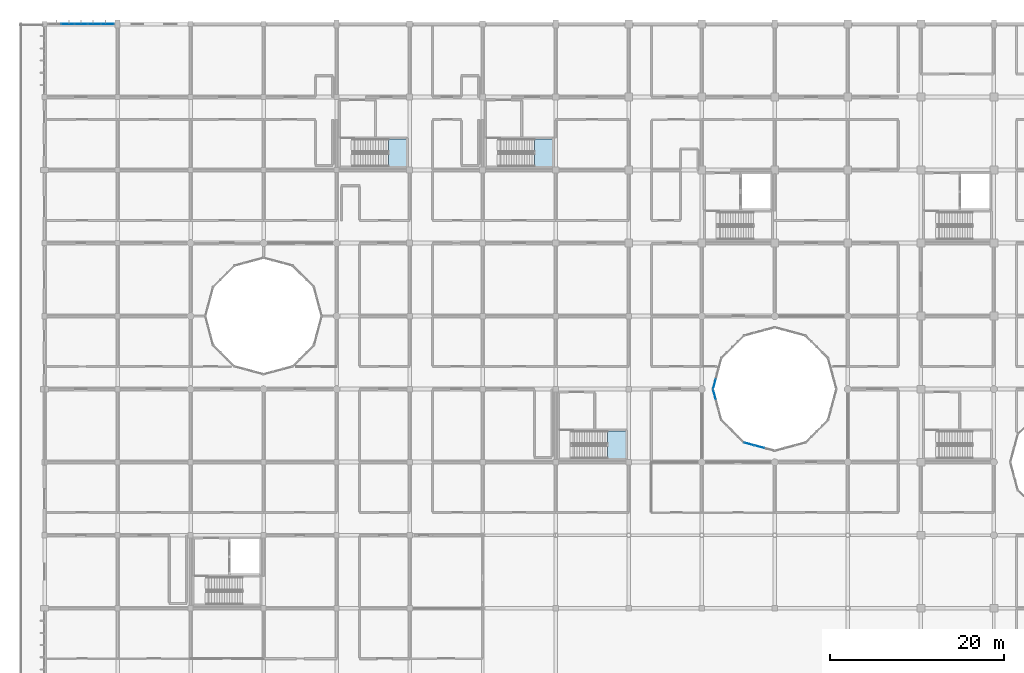
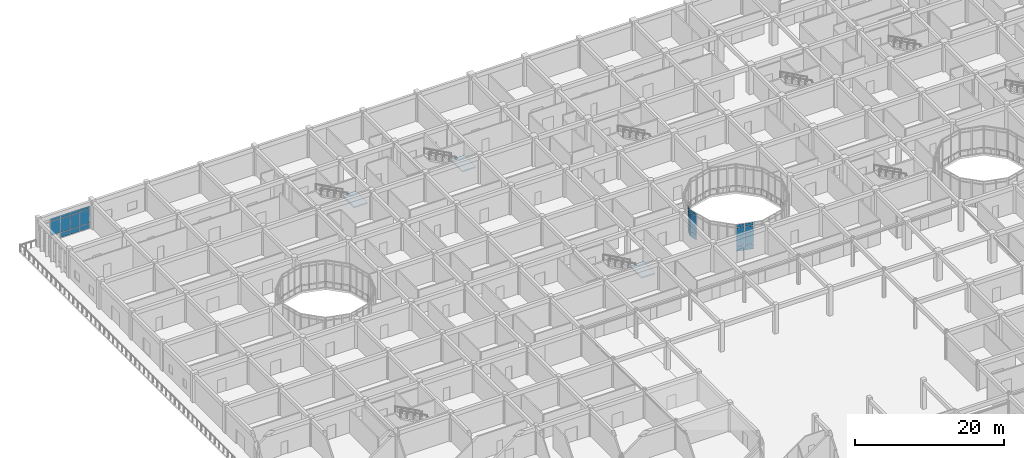
# One storey, part 72 of 138: 23 plates, 3 slabs, 7 elements without a shape of their own.
"""IFC4 building model written with IfcOpenShell, lengths in metres."""

from ifc_helpers import new_model, si_unit, direction, frame, origin, origin_2d, place, context, subcontext, project, spatial, polyline, rectangle, outline, extrude, material, layer, layer_set, type_object, element, aggregate, save


model = new_model("IFC4")

# Units and contexts
model_context = context("Model", 3, precision=1e-05, world=origin(), true_north=direction((0.0, 1.0)))
body_context = subcontext(model_context, "Body", "Model", "MODEL_VIEW")
ifc_project = project(units=[si_unit("LENGTHUNIT", "METRE"), si_unit("AREAUNIT", "SQUARE_METRE"), si_unit("VOLUMEUNIT", "CUBIC_METRE"), si_unit("PLANEANGLEUNIT", "RADIAN"), si_unit("MASSUNIT", "GRAM", prefix="KILO")], contexts=[model_context])

# Site, building, storey
site_placement = place(None, origin())
site = spatial("IfcSite", under=ifc_project, at=site_placement, CompositionType="ELEMENT")
building_placement = place(site_placement, origin())
building = spatial("IfcBuilding", under=site, at=building_placement, Name="Bramfleet General Hospital", CompositionType="ELEMENT")
storey_placement = place(building_placement, origin())
storey = spatial("IfcBuildingStorey", under=building, at=storey_placement, Name="L00", CompositionType="ELEMENT", Elevation=0.0)

# Curtain wall, plates
ifc_material_1 = material(Name="Anodised aluminium and low-E triple glazing", Category="aluminium")
ifc_layer_1 = layer(ifc_material_1, 0.179931640625, Name="CWT-CW-17")
ifc_layer_set_1 = layer_set([ifc_layer_1], Name="Anodised aluminium and low-E triple glazing")
curtain_wall_type_1 = type_object("IfcCurtainWallType", Name="CWT-CW-17", PredefinedType="USERDEFINED", material=ifc_layer_set_1)
curtain_wall_1_placement = place(storey_placement, origin())
curtain_wall_1 = element("IfcCurtainWall", 1, at=curtain_wall_1_placement, inside=storey, type_object=curtain_wall_type_1, Name="L00 Central Diagnostic Light Court Curtain Wall 1.1", ObjectType="Stick curtain wall", PredefinedType="USERDEFINED")
ifc_material_2 = material(Name="Low-E laminated safety glass", Category="glass")
ifc_layer_2 = layer(ifc_material_2, 0.031982421875, Name="CWP-GLZ-2")
ifc_layer_set_2 = layer_set([ifc_layer_2], Name="Low-E laminated safety glass")
plate_type_1 = type_object("IfcPlateType", Name="CWP-GLZ-2", PredefinedType="CURTAIN_PANEL", material=ifc_layer_set_2)
plate_1_placement = place(storey_placement, frame((77.06298828125, 74.991455078125, 0.06494140625), z_axis=(0.0, 0.0, 1.0), x_axis=(0.258763286618, -0.965940765005, 0.0)))
plate_1 = element("IfcPlate", 2, at=plate_1_placement, type_object=plate_type_1, Name="CW-17 panel 1.1", PredefinedType="CURTAIN_PANEL", context=body_context, shape_type="SweptSolid", body=[
    extrude(rectangle(XDim=1.1201171875, YDim=0.031982421875, at=origin_2d()), origin(), (0.0, 0.0, 1.0), 0.802490234375),
])
plate_2_placement = place(storey_placement, frame((77.06298828125, 74.991455078125, 0.932373046875), z_axis=(0.0, 0.0, 1.0), x_axis=(0.258763286618, -0.965940765005, 0.0)))
plate_2 = element("IfcPlate", 3, at=plate_2_placement, type_object=plate_type_1, Name="CW-17 panel 1.2", PredefinedType="CURTAIN_PANEL", context=body_context, shape_type="SweptSolid", body=[
    extrude(rectangle(XDim=1.1201171875, YDim=0.031982421875, at=origin_2d()), origin(), (0.0, 0.0, 1.0), 2.97509765625),
])
plate_3_placement = place(storey_placement, frame((77.06298828125, 74.991455078125, 3.97265625), z_axis=(0.0, 0.0, 1.0), x_axis=(0.258763286618, -0.965940765005, 0.0)))
plate_3 = element("IfcPlate", 4, at=plate_3_placement, type_object=plate_type_1, Name="CW-17 panel 1.3", PredefinedType="CURTAIN_PANEL", context=body_context, shape_type="SweptSolid", body=[
    extrude(rectangle(XDim=1.1201171875, YDim=0.031982421875, at=origin_2d()), origin(), (0.0, 0.0, 1.0), 0.452392578125),
])
aggregate(curtain_wall_1, [plate_1, plate_2, plate_3])

ifc_layer_3 = layer(ifc_material_1, 0.179931640625, Name="CWT-CW-11")
ifc_layer_set_3 = layer_set([ifc_layer_3], Name="Anodised aluminium and low-E triple glazing")
curtain_wall_type_2 = type_object("IfcCurtainWallType", Name="CWT-CW-11", PredefinedType="USERDEFINED", material=ifc_layer_set_3)
curtain_wall_2_placement = place(storey_placement, origin())
curtain_wall_2 = element("IfcCurtainWall", 5, at=curtain_wall_2_placement, inside=storey, type_object=curtain_wall_type_2, Name="L00 Central Diagnostic Light Court Curtain Wall 3.1", ObjectType="Stick curtain wall", PredefinedType="USERDEFINED")
plate_4_placement = place(storey_placement, frame((81.05859375, 69.2880859375, 0.06494140625), z_axis=(0.0, 0.0, 1.0), x_axis=(0.965940765005, -0.258763286618, 0.0)))
plate_4 = element("IfcPlate", 6, at=plate_4_placement, type_object=plate_type_1, Name="CW-11 panel 1.1", PredefinedType="CURTAIN_PANEL", context=body_context, shape_type="SweptSolid", body=[
    extrude(rectangle(XDim=1.1201171875, YDim=0.031982421875, at=origin_2d()), origin(), (0.0, 0.0, 1.0), 0.802490234375),
])
plate_5_placement = place(storey_placement, frame((81.05859375, 69.2880859375, 0.932373046875), z_axis=(0.0, 0.0, 1.0), x_axis=(0.965940765005, -0.258763286618, 0.0)))
plate_5 = element("IfcPlate", 7, at=plate_5_placement, type_object=plate_type_1, Name="CW-11 panel 1.2", PredefinedType="CURTAIN_PANEL", context=body_context, shape_type="SweptSolid", body=[
    extrude(rectangle(XDim=1.1201171875, YDim=0.031982421875, at=origin_2d()), origin(), (0.0, 0.0, 1.0), 2.97509765625),
])
plate_6_placement = place(storey_placement, frame((81.05859375, 69.2880859375, 3.97265625), z_axis=(0.0, 0.0, 1.0), x_axis=(0.965940765005, -0.258763286618, 0.0)))
plate_6 = element("IfcPlate", 8, at=plate_6_placement, type_object=plate_type_1, Name="CW-11 panel 1.3", PredefinedType="CURTAIN_PANEL", context=body_context, shape_type="SweptSolid", body=[
    extrude(rectangle(XDim=1.1201171875, YDim=0.031982421875, at=origin_2d()), origin(), (0.0, 0.0, 1.0), 0.452392578125),
])
plate_7_placement = place(storey_placement, frame((82.22509765625, 68.9755859375, 0.06494140625), z_axis=(0.0, 0.0, 1.0), x_axis=(0.965940765005, -0.258763286618, 0.0)))
plate_7 = element("IfcPlate", 9, at=plate_7_placement, type_object=plate_type_1, Name="CW-11 panel 2.1", PredefinedType="CURTAIN_PANEL", context=body_context, shape_type="SweptSolid", body=[
    extrude(rectangle(XDim=1.155029296875, YDim=0.031982421875, at=origin_2d()), origin(), (0.0, 0.0, 1.0), 0.802490234375),
])
plate_8_placement = place(storey_placement, frame((82.22509765625, 68.9755859375, 0.932373046875), z_axis=(0.0, 0.0, 1.0), x_axis=(0.965940765005, -0.258763286618, 0.0)))
plate_8 = element("IfcPlate", 10, at=plate_8_placement, type_object=plate_type_1, Name="CW-11 panel 2.2", PredefinedType="CURTAIN_PANEL", context=body_context, shape_type="SweptSolid", body=[
    extrude(rectangle(XDim=1.155029296875, YDim=0.031982421875, at=origin_2d()), origin(), (0.0, 0.0, 1.0), 2.97509765625),
])
plate_9_placement = place(storey_placement, frame((82.22509765625, 68.9755859375, 3.97265625), z_axis=(0.0, 0.0, 1.0), x_axis=(0.965940765005, -0.258763286618, 0.0)))
plate_9 = element("IfcPlate", 11, at=plate_9_placement, type_object=plate_type_1, Name="CW-11 panel 2.3", PredefinedType="CURTAIN_PANEL", context=body_context, shape_type="SweptSolid", body=[
    extrude(rectangle(XDim=1.155029296875, YDim=0.031982421875, at=origin_2d()), origin(), (0.0, 0.0, 1.0), 0.452392578125),
])
aggregate(curtain_wall_2, [plate_4, plate_5, plate_6, plate_7, plate_8, plate_9])

ifc_layer_4 = layer(ifc_material_1, 0.179931640625, Name="CWT-CW-12")
ifc_layer_set_4 = layer_set([ifc_layer_4], Name="Anodised aluminium and low-E triple glazing")
curtain_wall_type_3 = type_object("IfcCurtainWallType", Name="CWT-CW-12", PredefinedType="USERDEFINED", material=ifc_layer_set_4)
curtain_wall_3_placement = place(storey_placement, origin())
curtain_wall_3 = element("IfcCurtainWall", 12, at=curtain_wall_3_placement, inside=storey, type_object=curtain_wall_type_3, Name="L00 Central Diagnostic Light Court Curtain Wall 12.1", ObjectType="Stick curtain wall", PredefinedType="USERDEFINED")
plate_10_placement = place(storey_placement, frame((77.06298828125, 76.20849609375, 0.06494140625), z_axis=(0.0, 0.0, 1.0), x_axis=(-0.258763286618, -0.965940765005, 0.0)))
plate_10 = element("IfcPlate", 13, at=plate_10_placement, type_object=plate_type_1, Name="CW-12 panel 3.1", PredefinedType="CURTAIN_PANEL", context=body_context, shape_type="SweptSolid", body=[
    extrude(rectangle(XDim=1.1201171875, YDim=0.031982421875, at=origin_2d()), origin(), (0.0, 0.0, 1.0), 0.802490234375),
])
plate_11_placement = place(storey_placement, frame((77.06298828125, 76.20849609375, 0.932373046875), z_axis=(0.0, 0.0, 1.0), x_axis=(-0.258763286618, -0.965940765005, 0.0)))
plate_11 = element("IfcPlate", 14, at=plate_11_placement, type_object=plate_type_1, Name="CW-12 panel 3.2", PredefinedType="CURTAIN_PANEL", context=body_context, shape_type="SweptSolid", body=[
    extrude(rectangle(XDim=1.1201171875, YDim=0.031982421875, at=origin_2d()), origin(), (0.0, 0.0, 1.0), 2.97509765625),
])
plate_12_placement = place(storey_placement, frame((77.06298828125, 76.20849609375, 3.97265625), z_axis=(0.0, 0.0, 1.0), x_axis=(-0.258763286618, -0.965940765005, 0.0)))
plate_12 = element("IfcPlate", 15, at=plate_12_placement, type_object=plate_type_1, Name="CW-12 panel 3.3", PredefinedType="CURTAIN_PANEL", context=body_context, shape_type="SweptSolid", body=[
    extrude(rectangle(XDim=1.1201171875, YDim=0.031982421875, at=origin_2d()), origin(), (0.0, 0.0, 1.0), 0.452392578125),
])
aggregate(curtain_wall_3, [plate_10, plate_11, plate_12])

ifc_layer_5 = layer(ifc_material_1, 0.179931640625, Name="CWT-CW-03")
ifc_layer_set_5 = layer_set([ifc_layer_5], Name="Anodised aluminium and low-E triple glazing")
curtain_wall_type_4 = type_object("IfcCurtainWallType", Name="CWT-CW-03", PredefinedType="USERDEFINED", material=ifc_layer_set_5)
curtain_wall_4_placement = place(storey_placement, origin())
curtain_wall_4 = element("IfcCurtainWall", 16, at=curtain_wall_4_placement, inside=storey, type_object=curtain_wall_type_4, Name="L00 Curtain Wall 3", ObjectType="Unitised curtain wall", PredefinedType="USERDEFINED")
ifc_layer_6 = layer(ifc_material_2, 0.035888671875, Name="CWP-GLZ-3")
ifc_layer_set_6 = layer_set([ifc_layer_6], Name="Low-E laminated safety glass")
plate_type_2 = type_object("IfcPlateType", Name="CWP-GLZ-3", PredefinedType="CURTAIN_PANEL", material=ifc_layer_set_6)
plate_13_placement = place(storey_placement, frame((2.669921875, 117.60009765625, 0.9326171875), z_axis=(0.0, 0.0, 1.0), x_axis=(1.0, 0.0, 0.0)))
plate_13 = element("IfcPlate", 17, at=plate_13_placement, type_object=plate_type_2, Name="CW-03 panel 2.2", PredefinedType="CURTAIN_PANEL", context=body_context, shape_type="SweptSolid", body=[
    extrude(rectangle(XDim=1.4599609375, YDim=0.035888671875, at=origin_2d()), origin(), (0.0, 0.0, 1.0), 2.27490234375),
])
plate_14_placement = place(storey_placement, frame((2.669921875, 117.60009765625, 3.2724609375), z_axis=(0.0, 0.0, 1.0), x_axis=(1.0, 0.0, 0.0)))
plate_14 = element("IfcPlate", 18, at=plate_14_placement, type_object=plate_type_2, Name="CW-03 panel 2.3", PredefinedType="CURTAIN_PANEL", context=body_context, shape_type="SweptSolid", body=[
    extrude(rectangle(XDim=1.4599609375, YDim=0.035888671875, at=origin_2d()), origin(), (0.0, 0.0, 1.0), 0.452392578125),
])
plate_15_placement = place(storey_placement, frame((4.199951171875, 117.60009765625, 0.06494140625), z_axis=(0.0, 0.0, 1.0), x_axis=(1.0, 0.0, 0.0)))
plate_15 = element("IfcPlate", 19, at=plate_15_placement, type_object=plate_type_2, Name="CW-03 panel 3.1", PredefinedType="CURTAIN_PANEL", context=body_context, shape_type="SweptSolid", body=[
    extrude(rectangle(XDim=1.4599609375, YDim=0.035888671875, at=origin_2d()), origin(), (0.0, 0.0, 1.0), 0.802490234375),
])
plate_16_placement = place(storey_placement, frame((4.199951171875, 117.60009765625, 0.9326171875), z_axis=(0.0, 0.0, 1.0), x_axis=(1.0, 0.0, 0.0)))
plate_16 = element("IfcPlate", 20, at=plate_16_placement, type_object=plate_type_2, Name="CW-03 panel 3.2", PredefinedType="CURTAIN_PANEL", context=body_context, shape_type="SweptSolid", body=[
    extrude(rectangle(XDim=1.4599609375, YDim=0.035888671875, at=origin_2d()), origin(), (0.0, 0.0, 1.0), 2.27490234375),
])
plate_17_placement = place(storey_placement, frame((4.199951171875, 117.60009765625, 3.2724609375), z_axis=(0.0, 0.0, 1.0), x_axis=(1.0, 0.0, 0.0)))
plate_17 = element("IfcPlate", 21, at=plate_17_placement, type_object=plate_type_2, Name="CW-03 panel 3.3", PredefinedType="CURTAIN_PANEL", context=body_context, shape_type="SweptSolid", body=[
    extrude(rectangle(XDim=1.4599609375, YDim=0.035888671875, at=origin_2d()), origin(), (0.0, 0.0, 1.0), 0.452392578125),
])
plate_18_placement = place(storey_placement, frame((5.72998046875, 117.60009765625, 0.06494140625), z_axis=(0.0, 0.0, 1.0), x_axis=(1.0, 0.0, 0.0)))
plate_18 = element("IfcPlate", 22, at=plate_18_placement, type_object=plate_type_2, Name="CW-03 panel 4.1", PredefinedType="CURTAIN_PANEL", context=body_context, shape_type="SweptSolid", body=[
    extrude(rectangle(XDim=1.4599609375, YDim=0.035888671875, at=origin_2d()), origin(), (0.0, 0.0, 1.0), 0.802490234375),
])
plate_19_placement = place(storey_placement, frame((5.72998046875, 117.60009765625, 0.9326171875), z_axis=(0.0, 0.0, 1.0), x_axis=(1.0, 0.0, 0.0)))
plate_19 = element("IfcPlate", 23, at=plate_19_placement, type_object=plate_type_2, Name="CW-03 panel 4.2", PredefinedType="CURTAIN_PANEL", context=body_context, shape_type="SweptSolid", body=[
    extrude(rectangle(XDim=1.4599609375, YDim=0.035888671875, at=origin_2d()), origin(), (0.0, 0.0, 1.0), 2.27490234375),
])
plate_20_placement = place(storey_placement, frame((5.72998046875, 117.60009765625, 3.2724609375), z_axis=(0.0, 0.0, 1.0), x_axis=(1.0, 0.0, 0.0)))
plate_20 = element("IfcPlate", 24, at=plate_20_placement, type_object=plate_type_2, Name="CW-03 panel 4.3", PredefinedType="CURTAIN_PANEL", context=body_context, shape_type="SweptSolid", body=[
    extrude(rectangle(XDim=1.4599609375, YDim=0.035888671875, at=origin_2d()), origin(), (0.0, 0.0, 1.0), 0.452392578125),
])
plate_21_placement = place(storey_placement, frame((7.242431640625, 117.60009765625, 0.06494140625), z_axis=(0.0, 0.0, 1.0), x_axis=(1.0, 0.0, 0.0)))
plate_21 = element("IfcPlate", 25, at=plate_21_placement, type_object=plate_type_2, Name="CW-03 panel 5.1", PredefinedType="CURTAIN_PANEL", context=body_context, shape_type="SweptSolid", body=[
    extrude(rectangle(XDim=1.425048828125, YDim=0.035888671875, at=origin_2d()), origin(), (0.0, 0.0, 1.0), 0.802490234375),
])
plate_22_placement = place(storey_placement, frame((7.242431640625, 117.60009765625, 0.9326171875), z_axis=(0.0, 0.0, 1.0), x_axis=(1.0, 0.0, 0.0)))
plate_22 = element("IfcPlate", 26, at=plate_22_placement, type_object=plate_type_2, Name="CW-03 panel 5.2", PredefinedType="CURTAIN_PANEL", context=body_context, shape_type="SweptSolid", body=[
    extrude(rectangle(XDim=1.425048828125, YDim=0.035888671875, at=origin_2d()), origin(), (0.0, 0.0, 1.0), 2.27490234375),
])
plate_23_placement = place(storey_placement, frame((7.242431640625, 117.60009765625, 3.2724609375), z_axis=(0.0, 0.0, 1.0), x_axis=(1.0, 0.0, 0.0)))
plate_23 = element("IfcPlate", 27, at=plate_23_placement, type_object=plate_type_2, Name="CW-03 panel 5.3", PredefinedType="CURTAIN_PANEL", context=body_context, shape_type="SweptSolid", body=[
    extrude(rectangle(XDim=1.425048828125, YDim=0.035888671875, at=origin_2d()), origin(), (0.0, 0.0, 1.0), 0.452392578125),
])
aggregate(curtain_wall_4, [plate_13, plate_14, plate_15, plate_16, plate_17, plate_18, plate_19, plate_20, plate_21, plate_22, plate_23])

# Stair, slab
ifc_material_3 = material(Name="Concrete C35/45", Category="concrete")
stair_type = type_object("IfcStairType", Name="STR-T2", PredefinedType="HALF_TURN_STAIR", material=ifc_material_3)
stair_1_placement = place(storey_placement, origin())
stair_1 = element("IfcStair", 28, at=stair_1_placement, inside=storey, type_object=stair_type, Name="L00 Core C8 (North-West Surgical Escape) Protected Escape Stair", PredefinedType="HALF_TURN_STAIR")
ifc_layer_7 = layer(ifc_material_3, 0.199951171875, Name="SL-LND-200")
ifc_layer_set_7 = layer_set([ifc_layer_7], Name="Concrete C35/45")
slab_type = type_object("IfcSlabType", Name="SL-LND-200", PredefinedType="LANDING", material=ifc_layer_set_7)
slab_1_placement = place(storey_placement, frame((0.0, 0.0, 2.199951171875)))
slab_1 = element("IfcSlab", 29, at=slab_1_placement, type_object=slab_type, Name="ST-C8 landing 1", PredefinedType="LANDING", context=body_context, shape_type="SweptSolid", body=[
    extrude(outline(polyline([(39.570068359375, 101.219970703125), (41.659912109375, 101.219970703125), (41.659912109375, 104.3798828125), (39.570068359375, 104.3798828125), (39.570068359375, 101.219970703125)])), origin(), (0.0, 0.0, 1.0), 0.199951171875),
])
aggregate(stair_1, [slab_1])

stair_2_placement = place(storey_placement, origin())
stair_2 = element("IfcStair", 30, at=stair_2_placement, inside=storey, type_object=stair_type, Name="L00 Core C13 (Central Diagnostic Base Escape) Protected Escape Stair", PredefinedType="HALF_TURN_STAIR")
slab_2_placement = place(storey_placement, frame((0.0, 0.0, 2.199951171875)))
slab_2 = element("IfcSlab", 31, at=slab_2_placement, type_object=slab_type, Name="ST-C13 landing 1", PredefinedType="LANDING", context=body_context, shape_type="SweptSolid", body=[
    extrude(outline(polyline([(64.77001953125, 67.6201171875), (66.860107421875, 67.6201171875), (66.860107421875, 70.780029296875), (64.77001953125, 70.780029296875), (64.77001953125, 67.6201171875)])), origin(), (0.0, 0.0, 1.0), 0.199951171875),
])
aggregate(stair_2, [slab_2])

stair_3_placement = place(storey_placement, origin())
stair_3 = element("IfcStair", 32, at=stair_3_placement, inside=storey, type_object=stair_type, Name="L00 Core C14 (West Ward Wing Escape) Protected Escape Stair", PredefinedType="HALF_TURN_STAIR")
slab_3_placement = place(storey_placement, frame((0.0, 0.0, 2.199951171875)))
slab_3 = element("IfcSlab", 33, at=slab_3_placement, type_object=slab_type, Name="ST-C14 landing 1", PredefinedType="LANDING", context=body_context, shape_type="SweptSolid", body=[
    extrude(outline(polyline([(56.3701171875, 101.219970703125), (58.4599609375, 101.219970703125), (58.4599609375, 104.3798828125), (56.3701171875, 104.3798828125), (56.3701171875, 101.219970703125)])), origin(), (0.0, 0.0, 1.0), 0.199951171875),
])
aggregate(stair_3, [slab_3])

save(model, "model.ifc")
